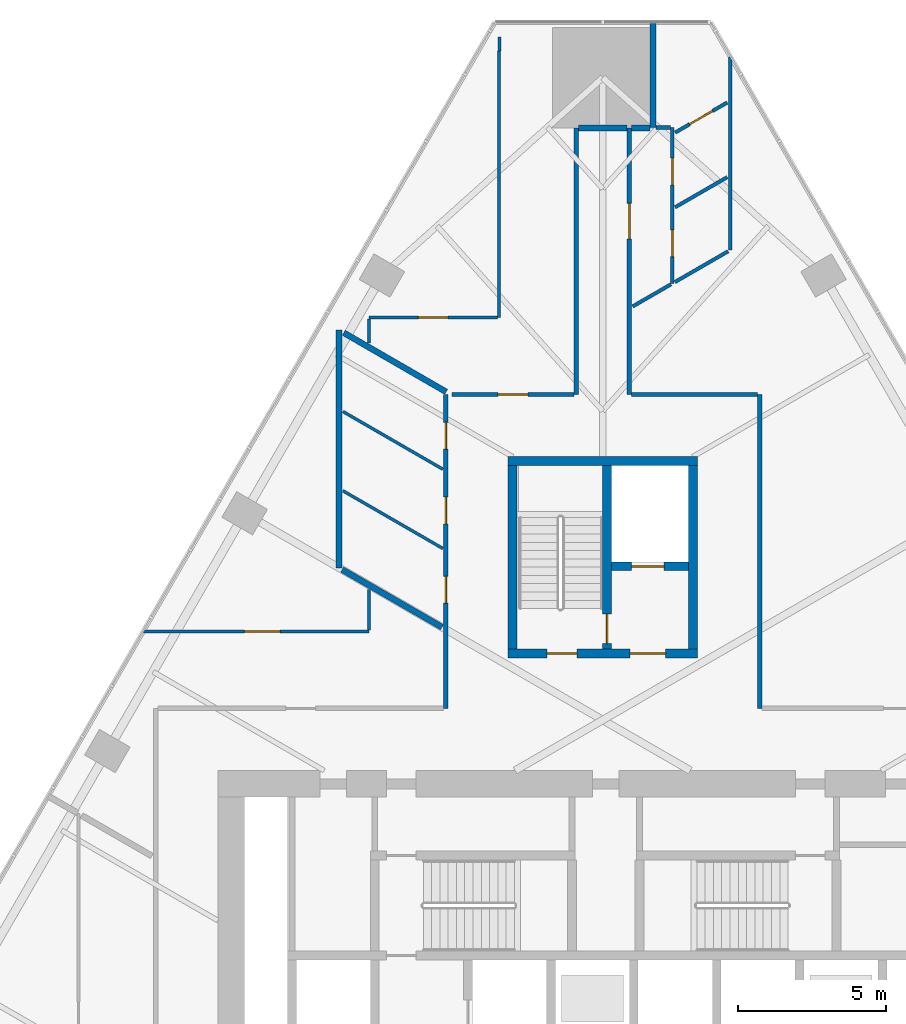
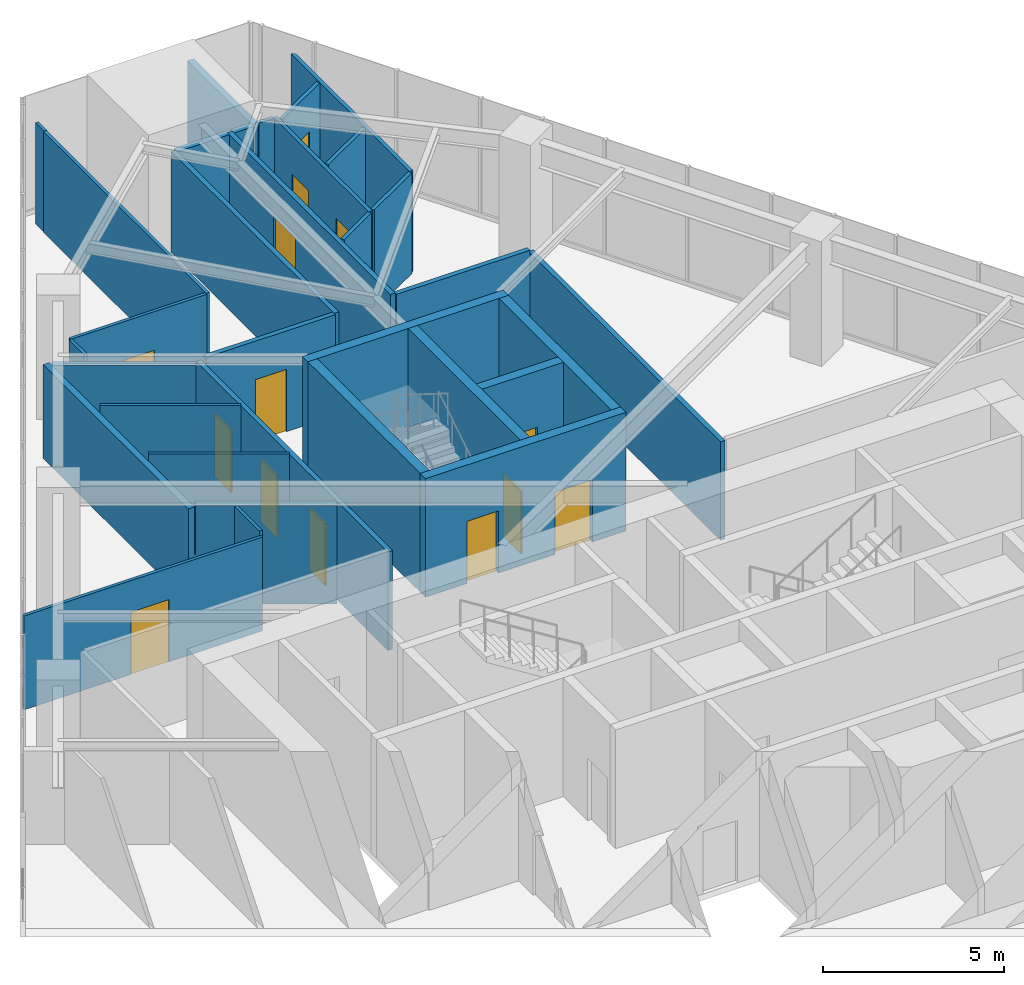
# One storey, part 19 of 22: 33 walls, 14 doors, 14 openings.
"""IFC4 building model written with IfcOpenShell, lengths in metres."""

from ifc_helpers import new_model, si_unit, direction, frame, frame_2d, origin, place, context, subcontext, project, spatial, rectangle, extrude, material, layer, layer_set, type_object, element, fill, save


model = new_model("IFC4")

# Units and contexts
model_context = context("Model", 3, precision=1e-05, world=origin(), true_north=direction((0.0, 1.0)))
body_context = subcontext(model_context, "Body", "Model", "MODEL_VIEW")
ifc_project = project(units=[si_unit("LENGTHUNIT", "METRE"), si_unit("AREAUNIT", "SQUARE_METRE"), si_unit("VOLUMEUNIT", "CUBIC_METRE"), si_unit("PLANEANGLEUNIT", "RADIAN"), si_unit("MASSUNIT", "GRAM", prefix="KILO")], contexts=[model_context])

# Site, building, storey
site_placement = place(None, origin())
site = spatial("IfcSite", under=ifc_project, at=site_placement, CompositionType="ELEMENT")
building_placement = place(site_placement, origin())
building = spatial("IfcBuilding", under=site, at=building_placement, Name="Firuza Gate Tower and Library", CompositionType="ELEMENT")
storey_placement = place(building_placement, frame((0.0, 0.0, 132.39990234375)))
storey = spatial("IfcBuildingStorey", under=building, at=storey_placement, Name="L30", CompositionType="ELEMENT", Elevation=132.39990234375)

# Wall, openings, doors
ifc_material_1 = material(Name="Concrete C80/95", Category="concrete")
ifc_layer_1 = layer(ifc_material_1, 0.300048828125)
ifc_layer_set_1 = layer_set([ifc_layer_1], Name="Core wall 300 C80/95")
wall_type_1 = type_object("IfcWallType", Name="Core wall 300 C80/95", PredefinedType="SHEAR", material=ifc_layer_set_1)
wall_1_placement = place(storey_placement, frame((71.800048828125, 87.949951171875, 0.0), z_axis=(0.0, 0.0, 1.0), x_axis=(1.0, 0.0, 0.0)))
wall_1 = element("IfcWall", 1, at=wall_1_placement, inside=storey, type_object=wall_type_1, Name="Core wall L30 34", PredefinedType="SHEAR", context=body_context, shape_type="SweptSolid", body=[
    extrude(rectangle(XDim=6.39990234375, YDim=0.300048828125, at=frame_2d((3.199951171875, 0.0))), origin(), (0.0, 0.0, 1.0), 4.0),
])
opening_1_placement = place(wall_1_placement, frame((1.324951171875, 0.0, 0.0)))
opening_1 = element("IfcOpeningElement", 2, at=opening_1_placement, cuts=wall_1, Name="Opening L30-K17", PredefinedType="OPENING", context=body_context, shape_type="SweptSolid", body=[
    extrude(rectangle(XDim=1.0, YDim=2.10009765625, at=frame_2d((0.5, 1.050048828125))), frame((0.0, 0.16015625, 0.0), z_axis=(0.0, -1.0, 0.0), x_axis=(1.0, 0.0, 0.0)), (0.0, 0.0, 1.0), 0.320068359375),
])
opening_2_placement = place(wall_1_placement, frame((4.125, 0.0, 0.0)))
opening_2 = element("IfcOpeningElement", 3, at=opening_2_placement, cuts=wall_1, Name="Opening L30-K19", PredefinedType="OPENING", context=body_context, shape_type="SweptSolid", body=[
    extrude(rectangle(XDim=1.199951171875, YDim=2.10009765625, at=frame_2d((0.60009765625, 1.050048828125))), frame((0.0, 0.16015625, 0.0), z_axis=(0.0, -1.0, 0.0), x_axis=(1.0, 0.0, 0.0)), (0.0, 0.0, 1.0), 0.320068359375),
])
ifc_material_2 = material(Name="Steel", Category="steel")
door_type_1 = type_object("IfcDoorType", Name="Fire door 1000x2100 FD90", OperationType="NOTDEFINED", PredefinedType="DOOR", material=ifc_material_2)
door_1_placement = place(opening_1_placement, origin())
door_1 = element("IfcDoor", 4, at=door_1_placement, inside=storey, type_object=door_type_1, Name="Door L30-K17", OperationType="SINGLE_SWING_RIGHT", OverallHeight=2.10009765625, OverallWidth=1.0, PredefinedType="DOOR", context=body_context, shape_type="SweptSolid", body=[
    extrude(rectangle(XDim=1.0, YDim=2.10009765625, at=frame_2d((0.5, 1.050048828125))), frame((0.0, 0.02490234375, 0.0), z_axis=(0.0, -1.0, 0.0), x_axis=(1.0, 0.0, 0.0)), (0.0, 0.0, 1.0), 0.050048828125),
])
fill(opening_1, door_1)
ifc_material_3 = material(Name="Steel", Category="steel")
door_type_2 = type_object("IfcDoorType", Name="Fire door 1200x2100 FD30S", OperationType="NOTDEFINED", PredefinedType="DOOR", material=ifc_material_3)
door_2_placement = place(opening_2_placement, origin())
door_2 = element("IfcDoor", 5, at=door_2_placement, inside=storey, type_object=door_type_2, Name="Door L30-K19", OperationType="SINGLE_SWING_RIGHT", OverallHeight=2.10009765625, OverallWidth=1.199951171875, PredefinedType="DOOR", context=body_context, shape_type="SweptSolid", body=[
    extrude(rectangle(XDim=1.199951171875, YDim=2.10009765625, at=frame_2d((0.60009765625, 1.050048828125))), frame((0.0, 0.02490234375, 0.0), z_axis=(0.0, -1.0, 0.0), x_axis=(1.0, 0.0, 0.0)), (0.0, 0.0, 1.0), 0.050048828125),
])
fill(opening_2, door_2)

# Walls
wall_2_placement = place(storey_placement, frame((71.800048828125, 94.449951171875, 0.0), z_axis=(0.0, 0.0, 1.0), x_axis=(1.0, 0.0, 0.0)))
element("IfcWall", 6, at=wall_2_placement, inside=storey, type_object=wall_type_1, Name="Core wall L30 35", PredefinedType="SHEAR", context=body_context, shape_type="SweptSolid", body=[
    extrude(rectangle(XDim=6.39990234375, YDim=0.300048828125, at=frame_2d((3.199951171875, 0.0))), origin(), (0.0, 0.0, 1.0), 4.0),
])
for number, where, z_axis, x_axis, name in (
    (7, (71.949951171875, 88.10009765625, 0.0), (0.0, 0.0, 1.0), (0.0, 1.0, 0.0), "Core wall L30 36"),
    (8, (78.050048828125, 88.10009765625, 0.0), (0.0, 0.0, 1.0), (0.0, 1.0, 0.0), "Core wall L30 37"),
):
    element("IfcWall", number, at=place(storey_placement, frame(where, z_axis=z_axis, x_axis=x_axis)), inside=storey, type_object=wall_type_1, Name=name, PredefinedType="SHEAR", context=body_context, shape_type="SweptSolid", body=[
        extrude(rectangle(XDim=6.199951171875, YDim=0.300048828125, at=frame_2d((3.10009765625, 0.0))), origin(), (0.0, 0.0, 1.0), 4.0),
    ])

# Wall, opening, door
wall_3_placement = place(storey_placement, frame((75.300048828125, 90.89990234375, 0.0), z_axis=(0.0, 0.0, 1.0), x_axis=(1.0, 0.0, 0.0)))
wall_3 = element("IfcWall", 9, at=wall_3_placement, inside=storey, type_object=wall_type_1, Name="Core wall L30 38", PredefinedType="SHEAR", context=body_context, shape_type="SweptSolid", body=[
    extrude(rectangle(XDim=2.599853515625, YDim=0.300048828125, at=frame_2d((1.2998046875, 0.0))), origin(), (0.0, 0.0, 1.0), 4.0),
])
opening_3_placement = place(wall_3_placement, frame((0.675048828125, 0.0, 0.0)))
opening_3 = element("IfcOpeningElement", 10, at=opening_3_placement, cuts=wall_3, Name="Opening LD-SV1-L30", PredefinedType="OPENING", context=body_context, shape_type="SweptSolid", body=[
    extrude(rectangle(XDim=1.10009765625, YDim=2.10009765625, at=frame_2d((0.550048828125, 1.050048828125))), frame((0.0, 0.16015625, 0.0), z_axis=(0.0, -1.0, 0.0), x_axis=(1.0, 0.0, 0.0)), (0.0, 0.0, 1.0), 0.320068359375),
])
ifc_material_4 = material(Name="Stainless steel", Category="steel")
door_type_3 = type_object("IfcDoorType", Name="Lift landing door 1100x2100", OperationType="DOUBLE_DOOR_SLIDING", PredefinedType="DOOR", material=ifc_material_4)
door_3_placement = place(opening_3_placement, origin())
door_3 = element("IfcDoor", 11, at=door_3_placement, inside=storey, type_object=door_type_3, Name="Landing door SV1 L30", OperationType="DOUBLE_DOOR_SLIDING", OverallHeight=2.10009765625, OverallWidth=1.10009765625, PredefinedType="DOOR", context=body_context, shape_type="SweptSolid", body=[
    extrude(rectangle(XDim=1.10009765625, YDim=2.10009765625, at=frame_2d((0.550048828125, 1.050048828125))), frame((0.0, 0.02490234375, 0.0), z_axis=(0.0, -1.0, 0.0), x_axis=(1.0, 0.0, 0.0)), (0.0, 0.0, 1.0), 0.050048828125),
])
fill(opening_3, door_3)

wall_4_placement = place(storey_placement, frame((75.14990234375, 88.10009765625, 0.0), z_axis=(0.0, 0.0, 1.0), x_axis=(0.0, 1.0, 0.0)))
wall_4 = element("IfcWall", 12, at=wall_4_placement, inside=storey, type_object=wall_type_1, Name="Core wall L30 39", PredefinedType="SHEAR", context=body_context, shape_type="SweptSolid", body=[
    extrude(rectangle(XDim=6.199951171875, YDim=0.300048828125, at=frame_2d((3.10009765625, 0.0))), origin(), (0.0, 0.0, 1.0), 4.0),
])
opening_4_placement = place(wall_4_placement, frame((0.18505859375, 0.0, 0.0)))
opening_4 = element("IfcOpeningElement", 13, at=opening_4_placement, cuts=wall_4, Name="Opening L30-K18", PredefinedType="OPENING", context=body_context, shape_type="SweptSolid", body=[
    extrude(rectangle(XDim=1.0, YDim=2.10009765625, at=frame_2d((0.5, 1.050048828125))), frame((0.0, 0.16015625, 0.0), z_axis=(0.0, -1.0, 0.0), x_axis=(1.0, 0.0, 0.0)), (0.0, 0.0, 1.0), 0.320068359375),
])
door_4_placement = place(opening_4_placement, origin())
door_4 = element("IfcDoor", 14, at=door_4_placement, inside=storey, type_object=door_type_1, Name="Door L30-K18", OperationType="SINGLE_SWING_LEFT", OverallHeight=2.10009765625, OverallWidth=1.0, PredefinedType="DOOR", context=body_context, shape_type="SweptSolid", body=[
    extrude(rectangle(XDim=1.0, YDim=2.10009765625, at=frame_2d((0.5, 1.050048828125))), frame((0.0, 0.02490234375, 0.0), z_axis=(0.0, -1.0, 0.0), x_axis=(1.0, 0.0, 0.0)), (0.0, 0.0, 1.0), 0.050048828125),
])
fill(opening_4, door_4)

ifc_material_5 = material(Name="Gypsum board partition")
ifc_layer_2 = layer(ifc_material_5, 0.14990234375)
ifc_layer_set_2 = layer_set([ifc_layer_2], Name="Corridor wall 150 double board on steel studs")
wall_type_2 = type_object("IfcWallType", Name="Corridor wall 150 double board on steel studs", PredefinedType="PARTITIONING", material=ifc_layer_set_2)
wall_5_placement = place(storey_placement, frame((69.9150390625, 96.699951171875, 0.0), z_axis=(0.0, 0.0, 1.0), x_axis=(1.0, 0.0, 0.0)))
wall_5 = element("IfcWall", 15, at=wall_5_placement, inside=storey, type_object=wall_type_2, Name="f:L30:w005", PredefinedType="PARTITIONING", context=body_context, shape_type="SweptSolid", body=[
    extrude(rectangle(XDim=4.10986328125, YDim=0.14990234375, at=frame_2d((2.054931640625, 0.0))), origin(), (0.0, 0.0, 1.0), 3.400146484375),
])
opening_5_placement = place(wall_5_placement, frame((1.554931640625, 0.0, 0.0)))
opening_5 = element("IfcOpeningElement", 16, at=opening_5_placement, cuts=wall_5, Name="Opening L30-09", PredefinedType="OPENING", context=body_context, shape_type="SweptSolid", body=[
    extrude(rectangle(XDim=1.0, YDim=2.10009765625, at=frame_2d((0.5, 1.050048828125))), frame((0.0, 0.0849609375, 0.0), z_axis=(0.0, -1.0, 0.0), x_axis=(1.0, 0.0, 0.0)), (0.0, 0.0, 1.0), 0.169921875),
])
ifc_material_6 = material(Name="Steel door and timber leaf", Category="steel")
door_type_4 = type_object("IfcDoorType", Name="Fire door 1000 x 2100 steel frame, timber leaf", OperationType="NOTDEFINED", PredefinedType="DOOR", material=ifc_material_6)
door_5_placement = place(opening_5_placement, origin())
door_5 = element("IfcDoor", 17, at=door_5_placement, inside=storey, type_object=door_type_4, Name="f:L30:d009", OperationType="SINGLE_SWING_LEFT", OverallHeight=2.10009765625, OverallWidth=1.0, PredefinedType="DOOR", context=body_context, shape_type="SweptSolid", body=[
    extrude(rectangle(XDim=1.0, YDim=2.10009765625, at=frame_2d((0.5, 1.050048828125))), frame((0.0, 0.02490234375, 0.0), z_axis=(0.0, -1.0, 0.0), x_axis=(1.0, 0.0, 0.0)), (0.0, 0.0, 1.0), 0.050048828125),
])
fill(opening_5, door_5)

# Walls
wall_6_placement = place(storey_placement, frame((75.97509765625, 96.699951171875, 0.0), z_axis=(0.0, 0.0, 1.0), x_axis=(1.0, 0.0, 0.0)))
element("IfcWall", 18, at=wall_6_placement, inside=storey, type_object=wall_type_2, Name="f:L30:w006", PredefinedType="PARTITIONING", context=body_context, shape_type="SweptSolid", body=[
    extrude(rectangle(XDim=4.249267578125, YDim=0.14990234375, at=frame_2d((2.12451171875, 0.0))), origin(), (0.0, 0.0, 1.0), 3.400146484375),
])
wall_7_placement = place(storey_placement, frame((80.300048828125, 86.10009765625, 0.0), z_axis=(0.0, 0.0, 1.0), x_axis=(0.0, 1.0, 0.0)))
element("IfcWall", 19, at=wall_7_placement, inside=storey, type_object=wall_type_2, Name="f:L30:w030", PredefinedType="PARTITIONING", context=body_context, shape_type="SweptSolid", body=[
    extrude(rectangle(XDim=10.599365234375, YDim=0.14990234375, at=frame_2d((5.2998046875, 0.0))), origin(), (0.0, 0.0, 1.0), 3.322021484375),
])

# Wall, opening, door
wall_8_placement = place(storey_placement, frame((75.89990234375, 105.698486328125, 0.0), z_axis=(0.0, 0.0, 1.0), x_axis=(0.0, -1.0, 0.0)))
wall_8 = element("IfcWall", 20, at=wall_8_placement, inside=storey, type_object=wall_type_2, Name="f:L30:w035", PredefinedType="PARTITIONING", context=body_context, shape_type="SweptSolid", body=[
    extrude(rectangle(XDim=8.99853515625, YDim=0.14990234375, at=frame_2d((4.499267578125, 0.0))), origin(), (0.0, 0.0, 1.0), 3.400146484375),
])
opening_6_placement = place(wall_8_placement, frame((2.5458984375, 0.0, 0.0)))
opening_6 = element("IfcOpeningElement", 21, at=opening_6_placement, cuts=wall_8, Name="Opening L30-22", PredefinedType="OPENING", context=body_context, shape_type="SweptSolid", body=[
    extrude(rectangle(XDim=1.199951171875, YDim=2.10009765625, at=frame_2d((0.60009765625, 1.050048828125))), frame((0.0, 0.0849609375, 0.0), z_axis=(0.0, -1.0, 0.0), x_axis=(1.0, 0.0, 0.0)), (0.0, 0.0, 1.0), 0.169921875),
])
ifc_material_7 = material(Name="Steel door and timber leaf", Category="steel")
door_type_5 = type_object("IfcDoorType", Name="Fire door 1200 x 2100 steel frame, double leaf", OperationType="NOTDEFINED", PredefinedType="DOOR", material=ifc_material_7)
door_6_placement = place(opening_6_placement, origin())
door_6 = element("IfcDoor", 22, at=door_6_placement, inside=storey, type_object=door_type_5, Name="f:L30:d022", OperationType="DOUBLE_DOOR_SINGLE_SWING", OverallHeight=2.10009765625, OverallWidth=1.199951171875, PredefinedType="DOOR", context=body_context, shape_type="SweptSolid", body=[
    extrude(rectangle(XDim=1.199951171875, YDim=2.10009765625, at=frame_2d((0.60009765625, 1.050048828125))), frame((0.0, 0.02490234375, 0.0), z_axis=(0.0, -1.0, 0.0), x_axis=(1.0, 0.0, 0.0)), (0.0, 0.0, 1.0), 0.050048828125),
])
fill(opening_6, door_6)

# Wall
wall_9_placement = place(storey_placement, frame((74.10009765625, 96.699951171875, 0.0), z_axis=(0.0, 0.0, 1.0), x_axis=(0.0, 1.0, 0.0)))
element("IfcWall", 23, at=wall_9_placement, inside=storey, type_object=wall_type_2, Name="f:L30:w036", PredefinedType="PARTITIONING", context=body_context, shape_type="SweptSolid", body=[
    extrude(rectangle(XDim=8.998046875, YDim=0.14990234375, at=frame_2d((4.4990234375, 0.0))), origin(), (0.0, 0.0, 1.0), 3.400146484375),
])

# Wall, openings, doors
wall_10_placement = place(storey_placement, frame((69.699951171875, 86.10009765625, 0.0), z_axis=(0.0, 0.0, 1.0), x_axis=(0.0, 1.0, 0.0)))
wall_10 = element("IfcWall", 24, at=wall_10_placement, inside=storey, type_object=wall_type_2, Name="f:L30:w039", PredefinedType="PARTITIONING", context=body_context, shape_type="SweptSolid", body=[
    extrude(rectangle(XDim=10.599853515625, YDim=0.14990234375, at=frame_2d((5.2998046875, 0.0))), origin(), (0.0, 0.0, 1.0), 3.322021484375),
])
opening_7_placement = place(wall_10_placement, frame((3.55517578125, 0.0, 0.0)))
opening_7 = element("IfcOpeningElement", 25, at=opening_7_placement, cuts=wall_10, Name="Opening L30-23", PredefinedType="OPENING", context=body_context, shape_type="SweptSolid", body=[
    extrude(rectangle(XDim=0.89990234375, YDim=2.10009765625, at=frame_2d((0.449951171875, 1.050048828125))), frame((0.0, 0.0849609375, 0.0), z_axis=(0.0, -1.0, 0.0), x_axis=(1.0, 0.0, 0.0)), (0.0, 0.0, 1.0), 0.169921875),
])
opening_8_placement = place(wall_10_placement, frame((6.23193359375, 0.0, 0.0)))
opening_8 = element("IfcOpeningElement", 26, at=opening_8_placement, cuts=wall_10, Name="Opening L30-24", PredefinedType="OPENING", context=body_context, shape_type="SweptSolid", body=[
    extrude(rectangle(XDim=0.89990234375, YDim=2.10009765625, at=frame_2d((0.449951171875, 1.050048828125))), frame((0.0, 0.0849609375, 0.0), z_axis=(0.0, -1.0, 0.0), x_axis=(1.0, 0.0, 0.0)), (0.0, 0.0, 1.0), 0.169921875),
])
opening_9_placement = place(wall_10_placement, frame((8.758544921875, 0.0, 0.0)))
opening_9 = element("IfcOpeningElement", 27, at=opening_9_placement, cuts=wall_10, Name="Opening L30-25", PredefinedType="OPENING", context=body_context, shape_type="SweptSolid", body=[
    extrude(rectangle(XDim=0.89990234375, YDim=2.10009765625, at=frame_2d((0.449951171875, 1.050048828125))), frame((0.0, 0.0849609375, 0.0), z_axis=(0.0, -1.0, 0.0), x_axis=(1.0, 0.0, 0.0)), (0.0, 0.0, 1.0), 0.169921875),
])
ifc_material_8 = material(Name="Steel door and timber leaf", Category="steel")
door_type_6 = type_object("IfcDoorType", Name="Fire door 900 x 2100 steel frame, timber leaf", OperationType="NOTDEFINED", PredefinedType="DOOR", material=ifc_material_8)
door_7_placement = place(opening_7_placement, origin())
door_7 = element("IfcDoor", 28, at=door_7_placement, inside=storey, type_object=door_type_6, Name="f:L30:d023", OperationType="SINGLE_SWING_RIGHT", OverallHeight=2.10009765625, OverallWidth=0.89990234375, PredefinedType="DOOR", context=body_context, shape_type="SweptSolid", body=[
    extrude(rectangle(XDim=0.89990234375, YDim=2.10009765625, at=frame_2d((0.449951171875, 1.050048828125))), frame((0.0, 0.02490234375, 0.0), z_axis=(0.0, -1.0, 0.0), x_axis=(1.0, 0.0, 0.0)), (0.0, 0.0, 1.0), 0.050048828125),
])
fill(opening_7, door_7)
door_8_placement = place(opening_8_placement, origin())
door_8 = element("IfcDoor", 29, at=door_8_placement, inside=storey, type_object=door_type_6, Name="f:L30:d024", OperationType="SINGLE_SWING_LEFT", OverallHeight=2.10009765625, OverallWidth=0.89990234375, PredefinedType="DOOR", context=body_context, shape_type="SweptSolid", body=[
    extrude(rectangle(XDim=0.89990234375, YDim=2.10009765625, at=frame_2d((0.449951171875, 1.050048828125))), frame((0.0, 0.02490234375, 0.0), z_axis=(0.0, -1.0, 0.0), x_axis=(1.0, 0.0, 0.0)), (0.0, 0.0, 1.0), 0.050048828125),
])
fill(opening_8, door_8)
door_9_placement = place(opening_9_placement, origin())
door_9 = element("IfcDoor", 30, at=door_9_placement, inside=storey, type_object=door_type_6, Name="f:L30:d025", OperationType="SINGLE_SWING_RIGHT", OverallHeight=2.10009765625, OverallWidth=0.89990234375, PredefinedType="DOOR", context=body_context, shape_type="SweptSolid", body=[
    extrude(rectangle(XDim=0.89990234375, YDim=2.10009765625, at=frame_2d((0.449951171875, 1.050048828125))), frame((0.0, 0.02490234375, 0.0), z_axis=(0.0, -1.0, 0.0), x_axis=(1.0, 0.0, 0.0)), (0.0, 0.0, 1.0), 0.050048828125),
])
fill(opening_9, door_9)

# Walls
ifc_material_9 = material(Name="Gypsum board partition")
ifc_layer_3 = layer(ifc_material_9, 0.199951171875)
ifc_layer_set_3 = layer_set([ifc_layer_3], Name="Demising wall 200 acoustic double stud")
wall_type_3 = type_object("IfcWallType", Name="Demising wall 200 acoustic double stud", PredefinedType="PARTITIONING", material=ifc_layer_set_3)
wall_11_placement = place(storey_placement, frame((74.175537109375, 105.698974609375, 0.0), z_axis=(0.0, 0.0, 1.0), x_axis=(1.0, 0.0, 0.0)))
element("IfcWall", 31, at=wall_11_placement, inside=storey, type_object=wall_type_3, Name="f:L30:w008", PredefinedType="PARTITIONING", context=body_context, shape_type="SweptSolid", body=[
    extrude(rectangle(XDim=1.6494140625, YDim=0.199951171875, at=frame_2d((0.82470703125, 0.0))), origin(), (0.0, 0.0, 1.0), 3.397216796875),
])
wall_12_placement = place(storey_placement, frame((76.699951171875, 105.715087890625, 0.0), z_axis=(0.0, 0.0, 1.0), x_axis=(0.0, 1.0, 0.0)))
element("IfcWall", 32, at=wall_12_placement, inside=storey, type_object=wall_type_3, Name="f:L30:w034", PredefinedType="PARTITIONING", context=body_context, shape_type="SweptSolid", body=[
    extrude(rectangle(XDim=3.54345703125, YDim=0.199951171875, at=frame_2d((1.771728515625, 0.0))), origin(), (0.0, 0.0, 1.0), 3.400146484375),
])
wall_13_placement = place(storey_placement, frame((66.10009765625, 90.845947265625, 0.0), z_axis=(0.0, 0.0, 1.0), x_axis=(0.0, 1.0, 0.0)))
element("IfcWall", 33, at=wall_13_placement, inside=storey, type_object=wall_type_3, Name="f:L30:w042", PredefinedType="PARTITIONING", context=body_context, shape_type="SweptSolid", body=[
    extrude(rectangle(XDim=8.02880859375, YDim=0.199951171875, at=frame_2d((4.014404296875, 0.0))), origin(), (0.0, 0.0, 1.0), 3.1650390625),
])
wall_14_placement = place(storey_placement, frame((69.71142578125, 96.78955078125, 0.0), z_axis=(0.0, 0.0, 1.0), x_axis=(-0.866021621257, 0.500006551472, 0.0)))
element("IfcWall", 34, at=wall_14_placement, inside=storey, type_object=wall_type_3, Name="f:L30:w050", PredefinedType="PARTITIONING", context=body_context, shape_type="SweptSolid", body=[
    extrude(rectangle(XDim=3.9921875, YDim=0.199951171875, at=frame_2d((1.99609375, 0.0))), origin(), (0.0, 0.0, 1.0), 3.1650390625),
])
wall_15_placement = place(storey_placement, frame((69.572998046875, 88.83984375, 0.0), z_axis=(0.0, 0.0, 1.0), x_axis=(-0.866043624834, 0.499968438888, 0.0)))
element("IfcWall", 35, at=wall_15_placement, inside=storey, type_object=wall_type_3, Name="f:L30:w053", PredefinedType="PARTITIONING", context=body_context, shape_type="SweptSolid", body=[
    extrude(rectangle(XDim=3.894775390625, YDim=0.199951171875, at=frame_2d((1.947265625, 0.0))), origin(), (0.0, 0.0, 1.0), 3.322021484375),
])
wall_16_placement = place(storey_placement, frame((75.97509765625, 105.698974609375, 0.0), z_axis=(0.0, 0.0, 1.0), x_axis=(1.0, 0.0, 0.0)))
element("IfcWall", 36, at=wall_16_placement, inside=storey, type_object=wall_type_3, Name="f:L30:w065", PredefinedType="PARTITIONING", context=body_context, shape_type="SweptSolid", body=[
    extrude(rectangle(XDim=0.62451171875, YDim=0.199951171875, at=frame_2d((0.312255859375, 0.0))), origin(), (0.0, 0.0, 1.0), 3.400146484375),
])

# Wall, opening, door
ifc_material_10 = material(Name="Gypsum board partition")
ifc_layer_4 = layer(ifc_material_10, 0.10009765625)
ifc_layer_set_4 = layer_set([ifc_layer_4], Name="Partition 100 gypsum board on steel studs")
wall_type_4 = type_object("IfcWallType", Name="Partition 100 gypsum board on steel studs", PredefinedType="PARTITIONING", material=ifc_layer_set_4)
wall_17_placement = place(storey_placement, frame((67.099609375, 88.699951171875, 0.0), z_axis=(0.0, 0.0, 1.0), x_axis=(-1.0, 0.0, 0.0)))
wall_17 = element("IfcWall", 37, at=wall_17_placement, inside=storey, type_object=wall_type_4, Name="f:L30:w004", PredefinedType="PARTITIONING", context=body_context, shape_type="SweptSolid", body=[
    extrude(rectangle(XDim=7.603759765625, YDim=0.10009765625, at=frame_2d((3.8017578125, 0.0))), origin(), (0.0, 0.0, 1.0), 3.1650390625),
])
opening_10_placement = place(wall_17_placement, frame((2.993896484375, 0.0, 0.0)))
opening_10 = element("IfcOpeningElement", 38, at=opening_10_placement, cuts=wall_17, Name="Opening L30-08", PredefinedType="OPENING", context=body_context, shape_type="SweptSolid", body=[
    extrude(rectangle(XDim=1.199951171875, YDim=2.10009765625, at=frame_2d((0.60009765625, 1.050048828125))), frame((0.0, 0.06005859375, 0.0), z_axis=(0.0, -1.0, 0.0), x_axis=(1.0, 0.0, 0.0)), (0.0, 0.0, 1.0), 0.1201171875),
])
ifc_material_11 = material(Name="Glazed aluminium door", Category="aluminium")
door_type_7 = type_object("IfcDoorType", Name="Door 1200 x 2100 glazed double leaf", OperationType="NOTDEFINED", PredefinedType="DOOR", material=ifc_material_11)
door_10_placement = place(opening_10_placement, origin())
door_10 = element("IfcDoor", 39, at=door_10_placement, inside=storey, type_object=door_type_7, Name="f:L30:d008", OperationType="DOUBLE_DOOR_SINGLE_SWING", OverallHeight=2.10009765625, OverallWidth=1.199951171875, PredefinedType="DOOR", context=body_context, shape_type="SweptSolid", body=[
    extrude(rectangle(XDim=1.199951171875, YDim=2.10009765625, at=frame_2d((0.60009765625, 1.050048828125))), frame((0.0, 0.02490234375, 0.0), z_axis=(0.0, -1.0, 0.0), x_axis=(1.0, 0.0, 0.0)), (0.0, 0.0, 1.0), 0.050048828125),
])
fill(opening_10, door_10)

wall_18_placement = place(storey_placement, frame((67.10009765625, 99.300048828125, 0.0), z_axis=(0.0, 0.0, 1.0), x_axis=(1.0, 0.0, 0.0)))
wall_18 = element("IfcWall", 40, at=wall_18_placement, inside=storey, type_object=wall_type_4, Name="f:L30:w007", PredefinedType="PARTITIONING", context=body_context, shape_type="SweptSolid", body=[
    extrude(rectangle(XDim=4.349365234375, YDim=0.10009765625, at=frame_2d((2.1748046875, 0.0))), origin(), (0.0, 0.0, 1.0), 3.400146484375),
])
opening_11_placement = place(wall_18_placement, frame((1.6748046875, 0.0, 0.0)))
opening_11 = element("IfcOpeningElement", 41, at=opening_11_placement, cuts=wall_18, Name="Opening L30-10", PredefinedType="OPENING", context=body_context, shape_type="SweptSolid", body=[
    extrude(rectangle(XDim=1.0, YDim=2.10009765625, at=frame_2d((0.5, 1.050048828125))), frame((0.0, 0.06005859375, 0.0), z_axis=(0.0, -1.0, 0.0), x_axis=(1.0, 0.0, 0.0)), (0.0, 0.0, 1.0), 0.1201171875),
])
ifc_material_12 = material(Name="Timber door", Category="wood")
door_type_8 = type_object("IfcDoorType", Name="Door 1000 x 2100 timber leaf", OperationType="NOTDEFINED", PredefinedType="DOOR", material=ifc_material_12)
door_11_placement = place(opening_11_placement, origin())
door_11 = element("IfcDoor", 42, at=door_11_placement, inside=storey, type_object=door_type_8, Name="f:L30:d010", OperationType="SINGLE_SWING_RIGHT", OverallHeight=2.10009765625, OverallWidth=1.0, PredefinedType="DOOR", context=body_context, shape_type="SweptSolid", body=[
    extrude(rectangle(XDim=1.0, YDim=2.10009765625, at=frame_2d((0.5, 1.050048828125))), frame((0.0, 0.02490234375, 0.0), z_axis=(0.0, -1.0, 0.0), x_axis=(1.0, 0.0, 0.0)), (0.0, 0.0, 1.0), 0.050048828125),
])
fill(opening_11, door_11)

# Walls
wall_19_placement = place(storey_placement, frame((71.51904296875, 108.299072265625, 0.0), z_axis=(0.0, 0.0, 1.0), x_axis=(0.0, 1.0, 0.0)))
element("IfcWall", 43, at=wall_19_placement, inside=storey, type_object=wall_type_4, Name="f:L30:w037", PredefinedType="PARTITIONING", context=body_context, shape_type="SweptSolid", body=[
    extrude(rectangle(XDim=0.47265625, YDim=0.10009765625, at=frame_2d((0.236328125, 0.0))), origin(), (0.0, 0.0, 1.0), 3.400146484375),
])
wall_20_placement = place(storey_placement, frame((71.5, 99.300537109375, 0.0), z_axis=(0.0, 0.0, 1.0), x_axis=(0.0, 1.0, 0.0)))
element("IfcWall", 44, at=wall_20_placement, inside=storey, type_object=wall_type_4, Name="f:L30:w038", PredefinedType="PARTITIONING", context=body_context, shape_type="SweptSolid", body=[
    extrude(rectangle(XDim=8.998046875, YDim=0.10009765625, at=frame_2d((4.4990234375, 0.0))), origin(), (0.0, 0.0, 1.0), 3.400146484375),
])
wall_21_placement = place(storey_placement, frame((67.10009765625, 88.75048828125, 0.0), z_axis=(0.0, 0.0, 1.0), x_axis=(0.0, 1.0, 0.0)))
element("IfcWall", 45, at=wall_21_placement, inside=storey, type_object=wall_type_4, Name="f:L30:w040", PredefinedType="PARTITIONING", context=body_context, shape_type="SweptSolid", body=[
    extrude(rectangle(XDim=1.371826171875, YDim=0.10009765625, at=frame_2d((0.68603515625, 0.0))), origin(), (0.0, 0.0, 1.0), 3.322021484375),
])
wall_22_placement = place(storey_placement, frame((67.10009765625, 98.443359375, 0.0), z_axis=(0.0, 0.0, 1.0), x_axis=(0.0, 1.0, 0.0)))
element("IfcWall", 46, at=wall_22_placement, inside=storey, type_object=wall_type_4, Name="f:L30:w041", PredefinedType="PARTITIONING", context=body_context, shape_type="SweptSolid", body=[
    extrude(rectangle(XDim=0.806640625, YDim=0.10009765625, at=frame_2d((0.4033203125, 0.0))), origin(), (0.0, 0.0, 1.0), 3.400146484375),
])
wall_23_placement = place(storey_placement, frame((69.598876953125, 94.177978515625, 0.0), z_axis=(0.0, 0.0, 1.0), x_axis=(-0.866016482536, 0.500015451737, 0.0)))
element("IfcWall", 47, at=wall_23_placement, inside=storey, type_object=wall_type_4, Name="f:L30:w051", PredefinedType="PARTITIONING", context=body_context, shape_type="SweptSolid", body=[
    extrude(rectangle(XDim=3.89501953125, YDim=0.10009765625, at=frame_2d((1.947509765625, 0.0))), origin(), (0.0, 0.0, 1.0), 3.400146484375),
])
wall_24_placement = place(storey_placement, frame((69.598876953125, 91.50146484375, 0.0), z_axis=(0.0, 0.0, 1.0), x_axis=(-0.866043624834, 0.499968438888, 0.0)))
element("IfcWall", 48, at=wall_24_placement, inside=storey, type_object=wall_type_4, Name="f:L30:w052", PredefinedType="PARTITIONING", context=body_context, shape_type="SweptSolid", body=[
    extrude(rectangle(XDim=3.894775390625, YDim=0.10009765625, at=frame_2d((1.947265625, 0.0))), origin(), (0.0, 0.0, 1.0), 3.400146484375),
])
ifc_material_13 = material(Name="Gypsum board partition")
ifc_layer_5 = layer(ifc_material_13, 0.1201171875)
ifc_layer_set_5 = layer_set([ifc_layer_5], Name="Wet-area partition 120 moisture-resistant board")
wall_type_5 = type_object("IfcWallType", Name="Wet-area partition 120 moisture-resistant board", PredefinedType="PARTITIONING", material=ifc_layer_set_5)
wall_25_placement = place(storey_placement, frame((76.800048828125, 105.718017578125, 0.0), z_axis=(0.0, 0.0, 1.0), x_axis=(1.0, 0.0, 0.0)))
element("IfcWall", 49, at=wall_25_placement, inside=storey, type_object=wall_type_5, Name="f:L30:w009", PredefinedType="PARTITIONING", context=body_context, shape_type="SweptSolid", body=[
    extrude(rectangle(XDim=0.489501953125, YDim=0.1201171875, at=frame_2d((0.24462890625, 0.0))), origin(), (0.0, 0.0, 1.0), 3.400146484375),
])
wall_26_placement = place(storey_placement, frame((76.009521484375, 99.67333984375, 0.0), z_axis=(0.0, 0.0, 1.0), x_axis=(0.865943626461, 0.500141615736, 0.0)))
element("IfcWall", 50, at=wall_26_placement, inside=storey, type_object=wall_type_5, Name="f:L30:w019", PredefinedType="PARTITIONING", context=body_context, shape_type="SweptSolid", body=[
    extrude(rectangle(XDim=1.49560546875, YDim=0.1201171875, at=frame_2d((0.747802734375, 0.0))), origin(), (0.0, 0.0, 1.0), 3.400146484375),
])
wall_27_placement = place(storey_placement, frame((77.444580078125, 103.02392578125, 0.0), z_axis=(0.0, 0.0, 1.0), x_axis=(0.866039589866, 0.499975428181, 0.0)))
element("IfcWall", 51, at=wall_27_placement, inside=storey, type_object=wall_type_5, Name="f:L30:w020", PredefinedType="PARTITIONING", context=body_context, shape_type="SweptSolid", body=[
    extrude(rectangle(XDim=2.03271484375, YDim=0.1201171875, at=frame_2d((1.016357421875, 0.0))), origin(), (0.0, 0.0, 1.0), 3.400146484375),
])

# Wall, opening, door
wall_28_placement = place(storey_placement, frame((79.205322265625, 106.562255859375, 0.0), z_axis=(0.0, 0.0, 1.0), x_axis=(-0.866017611601, -0.500013496215, 0.0)))
wall_28 = element("IfcWall", 52, at=wall_28_placement, inside=storey, type_object=wall_type_5, Name="f:L30:w021", PredefinedType="PARTITIONING", context=body_context, shape_type="SweptSolid", body=[
    extrude(rectangle(XDim=2.033203125, YDim=0.1201171875, at=frame_2d((1.0166015625, 0.0))), origin(), (0.0, 0.0, 1.0), 3.400146484375),
])
opening_12_placement = place(wall_28_placement, frame((0.566650390625, 0.0, 0.0)))
opening_12 = element("IfcOpeningElement", 53, at=opening_12_placement, cuts=wall_28, Name="Opening L30-15", PredefinedType="OPENING", context=body_context, shape_type="SweptSolid", body=[
    extrude(rectangle(XDim=0.89990234375, YDim=2.10009765625, at=frame_2d((0.449951171875, 1.050048828125))), frame((0.0, 0.070068359375, 0.0), z_axis=(0.0, -1.0, 0.0), x_axis=(1.0, 0.0, 0.0)), (0.0, 0.0, 1.0), 0.14013671875),
])
ifc_material_14 = material(Name="Timber door", Category="wood")
door_type_9 = type_object("IfcDoorType", Name="Door 900 x 2100 timber leaf", OperationType="NOTDEFINED", PredefinedType="DOOR", material=ifc_material_14)
door_12_placement = place(opening_12_placement, origin())
door_12 = element("IfcDoor", 54, at=door_12_placement, inside=storey, type_object=door_type_9, Name="f:L30:d015", OperationType="SINGLE_SWING_RIGHT", OverallHeight=2.10009765625, OverallWidth=0.89990234375, PredefinedType="DOOR", context=body_context, shape_type="SweptSolid", body=[
    extrude(rectangle(XDim=0.89990234375, YDim=2.10009765625, at=frame_2d((0.449951171875, 1.050048828125))), frame((0.0, 0.02490234375, 0.0), z_axis=(0.0, -1.0, 0.0), x_axis=(1.0, 0.0, 0.0)), (0.0, 0.0, 1.0), 0.050048828125),
])
fill(opening_12, door_12)

# Wall
wall_29_placement = place(storey_placement, frame((79.300048828125, 101.57275390625, 0.0), z_axis=(0.0, 0.0, 1.0), x_axis=(0.0, 1.0, 0.0)))
element("IfcWall", 55, at=wall_29_placement, inside=storey, type_object=wall_type_5, Name="f:L30:w032", PredefinedType="PARTITIONING", context=body_context, shape_type="SweptSolid", body=[
    extrude(rectangle(XDim=6.533447265625, YDim=0.1201171875, at=frame_2d((3.2666015625, 0.0))), origin(), (0.0, 0.0, 1.0), 3.400146484375),
])

# Wall, openings, doors
wall_30_placement = place(storey_placement, frame((77.35009765625, 100.44677734375, 0.0), z_axis=(0.0, 0.0, 1.0), x_axis=(0.0, 1.0, 0.0)))
wall_30 = element("IfcWall", 56, at=wall_30_placement, inside=storey, type_object=wall_type_5, Name="f:L30:w033", PredefinedType="PARTITIONING", context=body_context, shape_type="SweptSolid", body=[
    extrude(rectangle(XDim=5.270751953125, YDim=0.1201171875, at=frame_2d((2.63525390625, 0.0))), origin(), (0.0, 0.0, 1.0), 3.400146484375),
])
opening_13_placement = place(wall_30_placement, frame((0.912841796875, 0.0, 0.0)))
opening_13 = element("IfcOpeningElement", 57, at=opening_13_placement, cuts=wall_30, Name="Opening L30-20", PredefinedType="OPENING", context=body_context, shape_type="SweptSolid", body=[
    extrude(rectangle(XDim=0.89990234375, YDim=2.10009765625, at=frame_2d((0.449951171875, 1.050048828125))), frame((0.0, 0.070068359375, 0.0), z_axis=(0.0, -1.0, 0.0), x_axis=(1.0, 0.0, 0.0)), (0.0, 0.0, 1.0), 0.14013671875),
])
opening_14_placement = place(wall_30_placement, frame((3.333251953125, 0.0, 0.0)))
opening_14 = element("IfcOpeningElement", 58, at=opening_14_placement, cuts=wall_30, Name="Opening L30-21", PredefinedType="OPENING", context=body_context, shape_type="SweptSolid", body=[
    extrude(rectangle(XDim=0.89990234375, YDim=2.10009765625, at=frame_2d((0.449951171875, 1.050048828125))), frame((0.0, 0.070068359375, 0.0), z_axis=(0.0, -1.0, 0.0), x_axis=(1.0, 0.0, 0.0)), (0.0, 0.0, 1.0), 0.14013671875),
])
door_13_placement = place(opening_13_placement, origin())
door_13 = element("IfcDoor", 59, at=door_13_placement, inside=storey, type_object=door_type_9, Name="f:L30:d020", OperationType="SINGLE_SWING_LEFT", OverallHeight=2.10009765625, OverallWidth=0.89990234375, PredefinedType="DOOR", context=body_context, shape_type="SweptSolid", body=[
    extrude(rectangle(XDim=0.89990234375, YDim=2.10009765625, at=frame_2d((0.449951171875, 1.050048828125))), frame((0.0, 0.02490234375, 0.0), z_axis=(0.0, -1.0, 0.0), x_axis=(1.0, 0.0, 0.0)), (0.0, 0.0, 1.0), 0.050048828125),
])
fill(opening_13, door_13)
door_14_placement = place(opening_14_placement, origin())
door_14 = element("IfcDoor", 60, at=door_14_placement, inside=storey, type_object=door_type_9, Name="f:L30:d021", OperationType="SINGLE_SWING_RIGHT", OverallHeight=2.10009765625, OverallWidth=0.89990234375, PredefinedType="DOOR", context=body_context, shape_type="SweptSolid", body=[
    extrude(rectangle(XDim=0.89990234375, YDim=2.10009765625, at=frame_2d((0.449951171875, 1.050048828125))), frame((0.0, 0.02490234375, 0.0), z_axis=(0.0, -1.0, 0.0), x_axis=(1.0, 0.0, 0.0)), (0.0, 0.0, 1.0), 0.050048828125),
])
fill(opening_14, door_14)

# Wall
wall_31_placement = place(storey_placement, frame((77.43994140625, 100.499267578125, 0.0), z_axis=(0.0, 0.0, 1.0), x_axis=(0.865986040326, 0.500068173313, 0.0)))
element("IfcWall", 61, at=wall_31_placement, inside=storey, type_object=wall_type_5, Name="f:L30:w069", PredefinedType="PARTITIONING", context=body_context, shape_type="SweptSolid", body=[
    extrude(rectangle(XDim=2.078369140625, YDim=0.1201171875, at=frame_2d((1.0390625, 0.0))), origin(), (0.0, 0.0, 1.0), 3.400146484375),
])

save(model, "model.ifc")
